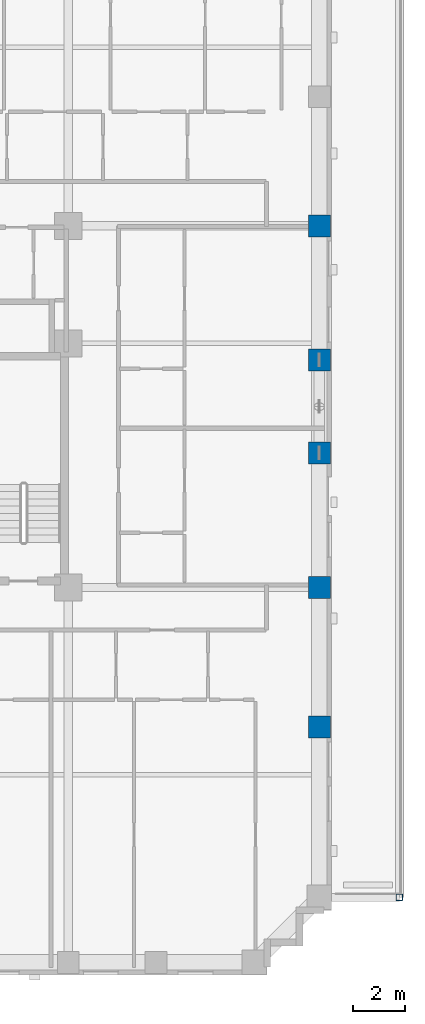
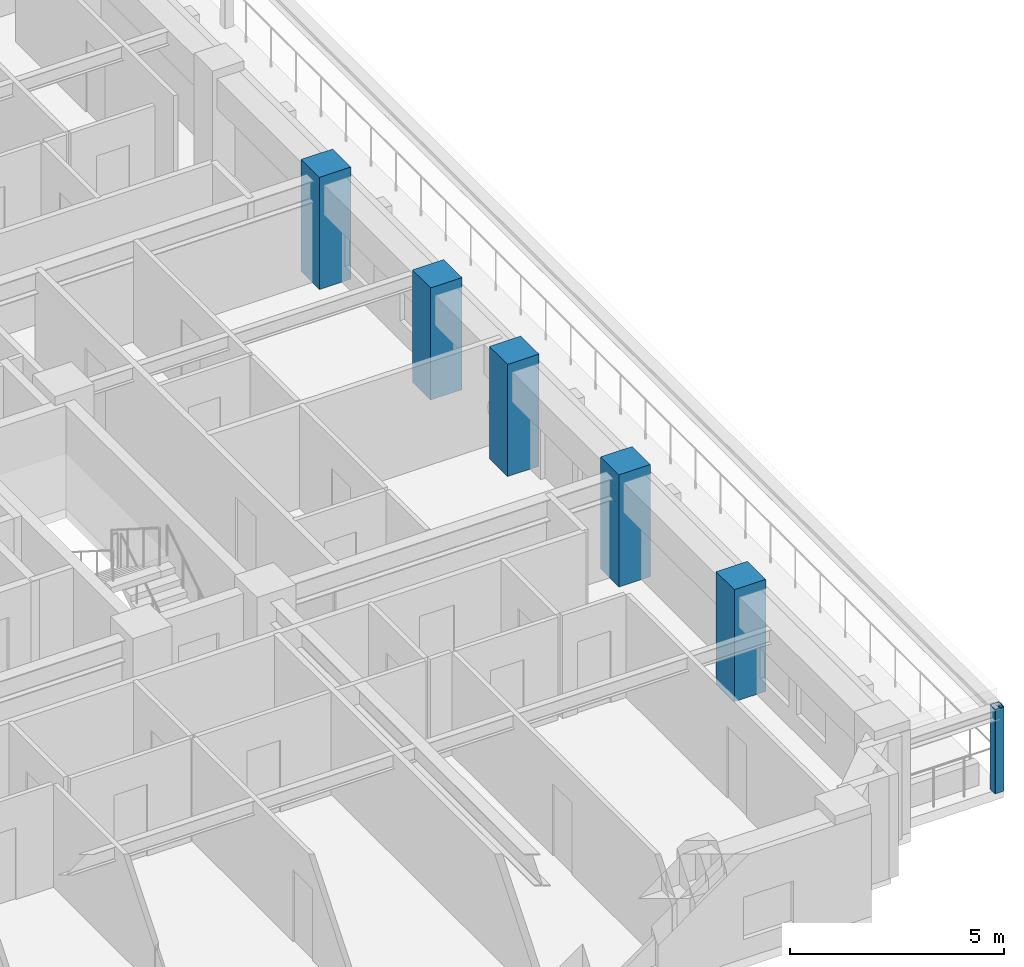
# One storey, part 2 of 16: 6 columns.
"""IFC4 building model written with IfcOpenShell, lengths in metres."""

import ifcopenshell
import ifcopenshell.guid

model = None  # the IFC model being written
_history = None  # IfcOwnerHistory: only IFC2X3 demands one
_inside = {}  # id of a spatial element -> (the spatial element, [elements in it])
_under = {}  # id of a project, library or spatial element -> (it, [spatial elements below it])
_declared = {}  # id of a project -> (the project, [libraries it declares])
_typed = {}  # id of a type object -> (the type object, [elements of that type])
_made_of = {}  # id of a material, layer set ... -> (it, [elements and type objects made of it])


def new_model(schema):
    """Start an empty IFC model of exactly this schema.

    Asked for "IFC4X3", IfcOpenShell would pick the latest addendum, in which some entities
    have other attributes; the version numbers below select the first issue.
    IFC2X3 requires an IfcOwnerHistory on every rooted entity: one is made here for all.
    """
    global model, _history
    if schema == "IFC4X3":
        model = ifcopenshell.file(schema_version=(4, 3, 0, 0))
    else:
        model = ifcopenshell.file(schema=schema)
    _inside.clear()
    _under.clear()
    _declared.clear()
    _typed.clear()
    _made_of.clear()
    _history = None
    if model.schema == "IFC2X3":
        org = make("IfcOrganization", Name="unknown")
        user = make(
            "IfcPersonAndOrganization",
            ThePerson=make("IfcPerson", FamilyName="unknown"),
            TheOrganization=org,
        )
        app = make(
            "IfcApplication",
            ApplicationDeveloper=org,
            Version="unknown",
            ApplicationFullName="unknown",
            ApplicationIdentifier="unknown",
        )
        _history = make(
            "IfcOwnerHistory",
            OwningUser=user,
            OwningApplication=app,
            ChangeAction="ADDED",
            CreationDate=0,
        )
    return model


def make(cls, **values):
    """One entity of the class cls with the attributes given. An attribute that is None is left unset."""
    return model.create_entity(
        cls, **{name: value for name, value in values.items() if value is not None}
    )


def rooted(cls, **values):
    """An entity with a GlobalId (a new one), such as an element, a storey or a relation."""
    return make(cls, GlobalId=ifcopenshell.guid.new(), OwnerHistory=_history, **values)


def si_unit(unit_type, name, prefix=None):
    """IfcSIUnit, for example si_unit("LENGTHUNIT", "METRE", prefix="MILLI")."""
    return make("IfcSIUnit", UnitType=unit_type, Prefix=prefix, Name=name)


def derived_unit(unit_type, elements):
    """IfcDerivedUnit: a product of units, each with its exponent."""
    return make(
        "IfcDerivedUnit",
        Elements=[
            make("IfcDerivedUnitElement", Unit=unit, Exponent=power)
            for unit, power in elements
        ],
        UnitType=unit_type,
    )


def assignment(units):
    """IfcUnitAssignment: the units of a project."""
    return None if units is None else make("IfcUnitAssignment", Units=units)


def point(xyz):
    """IfcCartesianPoint."""
    return None if xyz is None else make("IfcCartesianPoint", Coordinates=xyz)


def direction(xyz):
    """IfcDirection."""
    return None if xyz is None else make("IfcDirection", DirectionRatios=xyz)


def frame(location, z_axis=None, x_axis=None):
    """IfcAxis2Placement3D, a coordinate frame: its origin and axes. An axis left out is left unset."""
    return make(
        "IfcAxis2Placement3D",
        Location=point(location),
        Axis=direction(z_axis),
        RefDirection=direction(x_axis),
    )


def frame_2d(location, x_axis=None):
    """IfcAxis2Placement2D, a coordinate frame in the plane: its origin and x axis."""
    return make(
        "IfcAxis2Placement2D", Location=point(location), RefDirection=direction(x_axis)
    )


def origin():
    """The frame at (0, 0, 0) with its axes left unset."""
    return frame((0.0, 0.0, 0.0))


def origin_2d():
    """The frame at (0, 0) in the plane with its x axis left unset."""
    return frame_2d((0.0, 0.0))


def place(relative_to, where):
    """IfcLocalPlacement: puts the frame where relative to a parent placement (None: the world)."""
    return make(
        "IfcLocalPlacement", PlacementRelTo=relative_to, RelativePlacement=where
    )


def context(
    kind, dimensions, precision=None, world=None, true_north=None, identifier=None
):
    """IfcGeometricRepresentationContext, for example the 3D "Model" context."""
    return make(
        "IfcGeometricRepresentationContext",
        ContextIdentifier=identifier,
        ContextType=kind,
        CoordinateSpaceDimension=dimensions,
        Precision=precision,
        WorldCoordinateSystem=world,
        TrueNorth=true_north,
    )


def subcontext(parent, identifier, kind, view, scale=None):
    """IfcGeometricRepresentationSubContext, for example "Body" below "Model"."""
    return make(
        "IfcGeometricRepresentationSubContext",
        ContextIdentifier=identifier,
        ContextType=kind,
        ParentContext=parent,
        TargetScale=scale,
        TargetView=view,
    )


def project(units=None, contexts=None):
    """IfcProject with its units and contexts."""
    return rooted(
        "IfcProject",
        Name="project",
        RepresentationContexts=contexts,
        UnitsInContext=assignment(units),
    )


def spatial(cls, under=None, at=None, **own):
    """A site, building, storey or space (cls), placed at a placement, below another one or the project."""
    s = rooted(cls, ObjectPlacement=at, **own)
    if under is not None:
        _under.setdefault(under.id(), (under, []))[1].append(s)
    return s


def profile(cls, at=None, kind="AREA", **sizes):
    """A parametric profile (cls). Its sizes go by their IFC names, for example OverallWidth=200.0."""
    return make(cls, ProfileType=kind, Position=at, **sizes)


def rectangle(**sizes):
    """IfcRectangleProfileDef."""
    return profile("IfcRectangleProfileDef", **sizes)


def hollow_rectangle(**sizes):
    """IfcRectangleHollowProfileDef."""
    return profile("IfcRectangleHollowProfileDef", **sizes)


def extrude(swept, where, along, depth):
    """IfcExtrudedAreaSolid: the profile swept, set in the frame where, extruded along a direction by depth."""
    return make(
        "IfcExtrudedAreaSolid",
        SweptArea=swept,
        Position=where,
        ExtrudedDirection=direction(along),
        Depth=depth,
    )


def shape(context_of_items, identifier, shape_type, items):
    """IfcShapeRepresentation: the items that make up one representation, for example the "Body"."""
    return make(
        "IfcShapeRepresentation",
        ContextOfItems=context_of_items,
        RepresentationIdentifier=identifier,
        RepresentationType=shape_type,
        Items=items,
    )


def material(Name=None, Category=None):
    """IfcMaterial."""
    return make("IfcMaterial", Name=Name, Category=Category)


def material_profile(
    of_material, cross_section, Name=None, Category=None, Priority=None
):
    """IfcMaterialProfile: a cross section and its material."""
    return make(
        "IfcMaterialProfile",
        Name=Name,
        Material=of_material,
        Profile=cross_section,
        Priority=Priority,
        Category=Category,
    )


def profile_set(profiles, Name=None, composite=None):
    """IfcMaterialProfileSet."""
    return make(
        "IfcMaterialProfileSet",
        Name=Name,
        MaterialProfiles=profiles,
        CompositeProfile=composite,
    )


def made_of(thing, what):
    """Note that an element or type object is made of a material, layer set ...; save() writes the relation."""
    if what is not None:
        _made_of.setdefault(what.id(), (what, []))[1].append(thing)
    return thing


def type_object(cls, material=None, **own):
    """A type object (cls), such as IfcWallType, which elements share."""
    return made_of(rooted(cls, **own), material)


def element(
    cls,
    number,
    at=None,
    inside=None,
    cuts=None,
    type_object=None,
    material=None,
    context=None,
    identifier="Body",
    shape_type=None,
    held_by="IfcProductDefinitionShape",
    body=None,
    shapes=None,
    **own,
):
    """One element of the class cls, such as IfcWall. Its Tag is "e" and its number.

    at: its placement. inside: the storey or other place that contains it. cuts: it is an
    opening in that element (IfcRelVoidsElement). A single representation is given by context,
    identifier, shape_type and body (its items); several are given by shapes. held_by: the class
    of the entity that holds the representations. save() writes the other relations.
    """
    e = rooted(cls, Tag="e%d" % number, ObjectPlacement=at, **own)
    if body is not None:
        shapes = [shape(context, identifier, shape_type, body)]
    if shapes is not None:
        e.Representation = make(held_by, Representations=shapes)
    if inside is not None:
        _inside.setdefault(inside.id(), (inside, []))[1].append(e)
    if cuts is not None:
        rooted(
            "IfcRelVoidsElement", RelatingBuildingElement=cuts, RelatedOpeningElement=e
        )
    if type_object is not None:
        _typed.setdefault(type_object.id(), (type_object, []))[1].append(e)
    return made_of(e, material)


def aggregate(whole, parts):
    """IfcRelAggregates: a whole, such as a stair, and the parts it consists of."""
    return rooted("IfcRelAggregates", RelatingObject=whole, RelatedObjects=parts)


def save(model, path):
    """Write the relations noted so far, then the file.

    IfcRelAggregates (storeys below a building ...), IfcRelContainedInSpatialStructure (elements
    in a storey), IfcRelDefinesByType, IfcRelAssociatesMaterial and IfcRelDeclares: one each for
    every whole, place, type object, material and project.
    """
    for whole, parts in _under.values():
        aggregate(whole, parts)
    for where, things in _inside.values():
        rooted(
            "IfcRelContainedInSpatialStructure",
            RelatedElements=things,
            RelatingStructure=where,
        )
    for kind, things in _typed.values():
        rooted("IfcRelDefinesByType", RelatedObjects=things, RelatingType=kind)
    for what, things in _made_of.values():
        rooted("IfcRelAssociatesMaterial", RelatedObjects=things, RelatingMaterial=what)
    for by, libraries in _declared.values():
        rooted("IfcRelDeclares", RelatingContext=by, RelatedDefinitions=libraries)
    model.write(path)


model = new_model("IFC4")

# Units and contexts
model_context = context("Model", 3, precision=1e-05, world=origin(), true_north=direction((0.0, 1.0)))
body_context = subcontext(model_context, "Body", "Model", "MODEL_VIEW")
ifc_project = project(units=[si_unit("LENGTHUNIT", "METRE"), si_unit("AREAUNIT", "SQUARE_METRE"), si_unit("VOLUMEUNIT", "CUBIC_METRE"), si_unit("PLANEANGLEUNIT", "RADIAN"), si_unit("MASSUNIT", "GRAM", prefix="KILO"), derived_unit("THERMALTRANSMITTANCEUNIT", [(si_unit("MASSUNIT", "GRAM", prefix="KILO"), 1), (si_unit("TIMEUNIT", "SECOND"), -3), (si_unit("THERMODYNAMICTEMPERATUREUNIT", "KELVIN"), -1)])], contexts=[model_context])

# Site, building, storey
site_placement = place(None, origin())
site = spatial("IfcSite", under=ifc_project, at=site_placement, CompositionType="ELEMENT")
building_placement = place(site_placement, origin())
building = spatial("IfcBuilding", under=site, at=building_placement, Name="Korrvale Station Residences", CompositionType="ELEMENT")
storey_placement = place(building_placement, frame((0.0, 0.0, 75.10009765625)))
storey = spatial("IfcBuildingStorey", under=building, at=storey_placement, Name="L20", CompositionType="ELEMENT", Elevation=75.10009765625)

# Columns
ifc_material_1 = material(Name="Steel S355", Category="steel")
ifc_material_profile_1 = material_profile(ifc_material_1, hollow_rectangle(XDim=0.25390625, YDim=0.25390625, WallThickness=0.0126953125, InnerFilletRadius=0.0126953125, OuterFilletRadius=0.025390625, at=origin_2d()), Name="HSS254x254x13")
ifc_profile_set_1 = profile_set([ifc_material_profile_1], Name="Steel S355")
column_type_1 = type_object("IfcColumnType", Name="COL-C-HSS254x254x13-S355", PredefinedType="COLUMN", material=ifc_profile_set_1)
column_placement = place(storey_placement, frame((46.02001953125, 3.0, 0.0), z_axis=(0.0, 0.0, 1.0), x_axis=(1.0, 0.0, 0.0)))
element("IfcColumn", 1, at=column_placement, inside=storey, type_object=column_type_1, Name="L20 Setback Canopy Frame Post 1", PredefinedType="COLUMN", context=body_context, shape_type="SweptSolid", body=[
    extrude(hollow_rectangle(XDim=0.25390625, YDim=0.25390625, WallThickness=0.0126953125, InnerFilletRadius=0.0126953125, OuterFilletRadius=0.025390625, at=origin_2d()), origin(), (0.0, 0.0, 1.0), 2.39990234375),
])
ifc_material_2 = material(Name="Concrete C60/75", Category="concrete")
ifc_material_profile_2 = material_profile(ifc_material_2, rectangle(XDim=0.85009765625, YDim=0.85009765625, at=origin_2d()), Name="RC850x850")
ifc_profile_set_2 = profile_set([ifc_material_profile_2], Name="Concrete C60/75")
column_type_2 = type_object("IfcColumnType", Name="COL-C-RC850x850-C6075", PredefinedType="COLUMN", material=ifc_profile_set_2)
for number, where, z_axis, x_axis, name in (
    (2, (42.919921875, 9.60009765625, 0.0), (0.0, 0.0, 1.0), (1.0, 0.0, 0.0), "L20 Bundled-Tube East Column 26"),
    (3, (42.919921875, 15.0, 0.0), (0.0, 0.0, 1.0), (1.0, 0.0, 0.0), "L20 Bundled-Tube East Column 27"),
    (4, (42.919921875, 20.199951171875, 0.0), (0.0, 0.0, 1.0), (1.0, 0.0, 0.0), "L20 Bundled-Tube East Column 28"),
    (5, (42.919921875, 23.800048828125, 0.0), (0.0, 0.0, 1.0), (1.0, 0.0, 0.0), "L20 Bundled-Tube East Column 29"),
    (6, (42.919921875, 29.0, 0.0), (0.0, 0.0, 1.0), (1.0, 0.0, 0.0), "L20 Bundled-Tube East Column 30"),
):
    element("IfcColumn", number, at=place(storey_placement, frame(where, z_axis=z_axis, x_axis=x_axis)), inside=storey, type_object=column_type_2, Name=name, PredefinedType="COLUMN", context=body_context, shape_type="SweptSolid", body=[
        extrude(rectangle(XDim=0.85009765625, YDim=0.85009765625, at=origin_2d()), origin(), (0.0, 0.0, 1.0), 3.199951171875),
    ])

save(model, "model.ifc")
